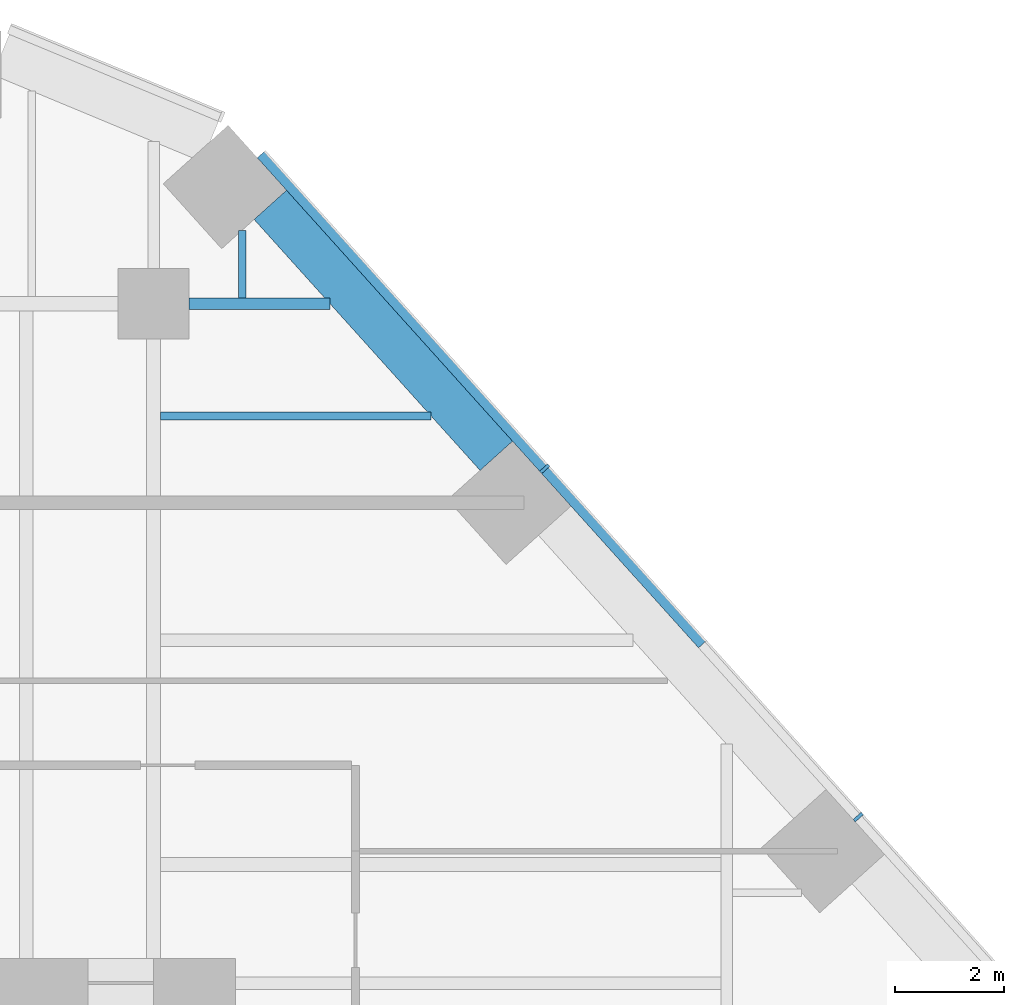
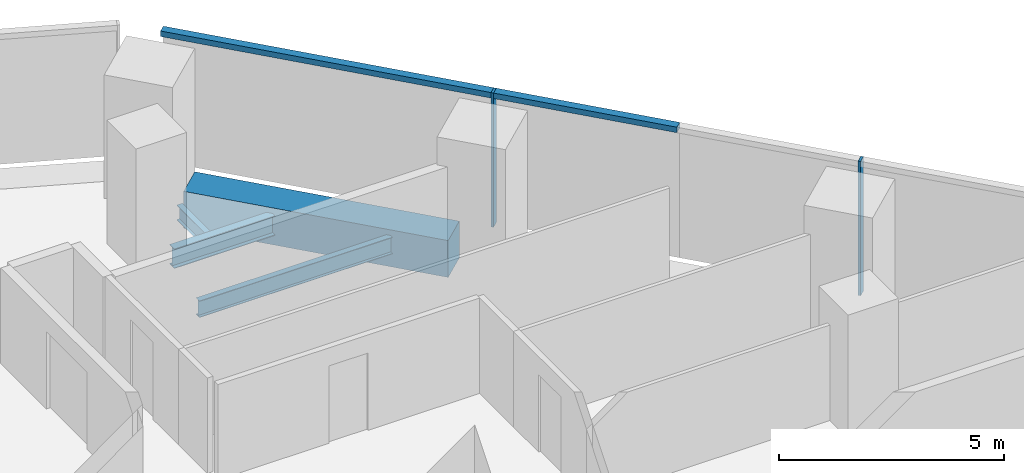
# One storey, part 13 of 31: 4 beams, 4 members, 1 element without a shape of its own.
"""IFC4 building model written with IfcOpenShell, lengths in metres."""

from ifc_helpers import new_model, si_unit, direction, frame, origin, origin_2d, place, context, subcontext, project, spatial, rectangle, i_section, extrude, material, layer, layer_set, material_profile, profile_set, type_object, element, aggregate, save


model = new_model("IFC4")

# Units and contexts
model_context = context("Model", 3, precision=1e-05, world=origin(), true_north=direction((0.0, 1.0)))
body_context = subcontext(model_context, "Body", "Model", "MODEL_VIEW")
ifc_project = project(units=[si_unit("LENGTHUNIT", "METRE"), si_unit("AREAUNIT", "SQUARE_METRE"), si_unit("VOLUMEUNIT", "CUBIC_METRE"), si_unit("PLANEANGLEUNIT", "RADIAN"), si_unit("MASSUNIT", "GRAM", prefix="KILO")], contexts=[model_context])

# Site, building, storey
site_placement = place(None, origin())
site = spatial("IfcSite", under=ifc_project, at=site_placement, CompositionType="ELEMENT")
building_placement = place(site_placement, origin())
building = spatial("IfcBuilding", under=site, at=building_placement, Name="Isthmus Gate Tower", CompositionType="ELEMENT")
storey_placement = place(building_placement, frame((0.0, 0.0, 113.5)))
storey = spatial("IfcBuildingStorey", under=building, at=storey_placement, Name="L27", CompositionType="ELEMENT", Elevation=113.5)

# Curtain wall, members
ifc_material_1 = material(Name="Aluminium, pale champagne anodised", Category="aluminium")
ifc_layer = layer(ifc_material_1, 0.199951171875)
ifc_layer_set = layer_set([ifc_layer], Name="CW-1 UNITISED CURTAIN WALL 200 DEEP")
curtain_wall_type = type_object("IfcCurtainWallType", Name="CW-1 UNITISED CURTAIN WALL 200 DEEP", PredefinedType="NOTDEFINED", material=ifc_layer_set)
curtain_wall_placement = place(storey_placement, origin())
curtain_wall = element("IfcCurtainWall", 1, at=curtain_wall_placement, inside=storey, type_object=curtain_wall_type, Name="CW-1 NE L27", PredefinedType="NOTDEFINED")
ifc_material_2 = material(Name="Aluminium, pale champagne anodised", Category="aluminium")
ifc_material_profile_1 = material_profile(ifc_material_2, rectangle(XDim=0.06005859375, YDim=0.199951171875, at=origin_2d()), Name="60x200")
ifc_profile_set_1 = profile_set([ifc_material_profile_1], Name="Aluminium, pale champagne anodised")
member_type_1 = type_object("IfcMemberType", Name="CW-1 MULLION 60 X 200", PredefinedType="MULLION", material=ifc_profile_set_1)
member_1_placement = place(storey_placement, frame((26.4140625, 17.591796875, 0.0), z_axis=(0.0, 0.0, 1.0), x_axis=(-0.669130606359, 0.743144825477, 0.0)))
member_1 = element("IfcMember", 2, at=member_1_placement, type_object=member_type_1, Name="CW-1 mullion", PredefinedType="MULLION", context=body_context, shape_type="SweptSolid", body=[
    extrude(rectangle(XDim=0.06005859375, YDim=0.199951171875, at=origin_2d()), origin(), (0.0, 0.0, 1.0), 3.64990234375),
])
member_2_placement = place(storey_placement, frame((20.666748046875, 23.974853515625, 0.0), z_axis=(0.0, 0.0, 1.0), x_axis=(-0.669130606359, 0.743144825477, 0.0)))
member_2 = element("IfcMember", 3, at=member_2_placement, type_object=member_type_1, Name="CW-1 mullion", PredefinedType="MULLION", context=body_context, shape_type="SweptSolid", body=[
    extrude(rectangle(XDim=0.06005859375, YDim=0.199951171875, at=origin_2d()), origin(), (0.0, 0.0, 1.0), 3.64990234375),
])
ifc_material_3 = material(Name="Aluminium, pale champagne anodised", Category="aluminium")
ifc_material_profile_2 = material_profile(ifc_material_3, rectangle(XDim=0.199951171875, YDim=0.14990234375, at=origin_2d()), Name="200x150")
ifc_profile_set_2 = profile_set([ifc_material_profile_2], Name="Aluminium, pale champagne anodised")
member_type_2 = type_object("IfcMemberType", Name="CW-1 TRANSOM 200 X 150", PredefinedType="USERDEFINED", material=ifc_profile_set_2)
member_3_placement = place(storey_placement, frame((23.560546875, 20.760986328125, 3.574951171875), z_axis=(-0.669131169216, 0.743144318678, 0.0), x_axis=(-0.743144318678, -0.669131169216, 0.0)))
member_3 = element("IfcMember", 4, at=member_3_placement, type_object=member_type_2, Name="CW-1 transom", ObjectType="TRANSOM", PredefinedType="USERDEFINED", context=body_context, shape_type="SweptSolid", body=[
    extrude(rectangle(XDim=0.199951171875, YDim=0.14990234375, at=origin_2d()), origin(), (0.0, 0.0, 1.0), 4.294677734375),
])
member_4_placement = place(storey_placement, frame((20.646728515625, 23.997314453125, 3.574951171875), z_axis=(-0.669151434947, 0.743126070804, 0.0), x_axis=(-0.743126070804, -0.669151434947, 0.0)))
member_4 = element("IfcMember", 5, at=member_4_placement, type_object=member_type_2, Name="CW-1 transom", ObjectType="TRANSOM", PredefinedType="USERDEFINED", context=body_context, shape_type="SweptSolid", body=[
    extrude(rectangle(XDim=0.199951171875, YDim=0.14990234375, at=origin_2d()), origin(), (0.0, 0.0, 1.0), 7.7294921875),
])
aggregate(curtain_wall, [member_1, member_3, member_2, member_4])

# Beams
ifc_material_4 = material(Name="Concrete f'c 70 MPa", Category="concrete")
ifc_material_profile_3 = material_profile(ifc_material_4, rectangle(XDim=0.800048828125, YDim=1.0, at=origin_2d()), Name="RC 800X1000")
ifc_profile_set_3 = profile_set([ifc_material_profile_3], Name="Concrete f'c 70 MPa")
beam_type_1 = type_object("IfcBeamType", Name="RC SPANDREL 800 X 1000", PredefinedType="SPANDREL", material=ifc_profile_set_3)
beam_1_placement = place(storey_placement, frame((15.638427734375, 28.812255859375, -0.5), z_axis=(0.669139054219, -0.743137218903, 0.0), x_axis=(0.743137218903, 0.669139054219, 0.0)))
element("IfcBeam", 6, at=beam_1_placement, inside=storey, type_object=beam_type_1, Name="str-spandrel-L27-01", PredefinedType="SPANDREL", context=body_context, shape_type="SweptSolid", body=[
    extrude(rectangle(XDim=0.800048828125, YDim=1.0, at=origin_2d()), origin(), (0.0, 0.0, 1.0), 6.189453125),
])
ifc_material_5 = material(Name="Structural steel ASTM A992 Gr 50", Category="steel")
ifc_material_profile_4 = material_profile(ifc_material_5, i_section(OverallWidth=0.1396484375, OverallDepth=0.4033203125, WebThickness=0.00634765625, FlangeThickness=0.010986328125, at=origin_2d()), Name="W16X31")
ifc_profile_set_4 = profile_set([ifc_material_profile_4], Name="Structural steel ASTM A992 Gr 50")
beam_type_2 = type_object("IfcBeamType", Name="STEEL FLOOR BEAM W16X31", PredefinedType="JOIST", material=ifc_profile_set_4)
beam_2_placement = place(storey_placement, frame((15.12109375, 27.104736328125, -0.3515625), z_axis=(0.0, 1.0, 0.0), x_axis=(-1.0, 0.0, 0.0)))
element("IfcBeam", 7, at=beam_2_placement, inside=storey, type_object=beam_type_2, Name="str-beam-L27-29-00", PredefinedType="JOIST", context=body_context, shape_type="SweptSolid", body=[
    extrude(i_section(OverallWidth=0.1396484375, OverallDepth=0.4033203125, WebThickness=0.00634765625, FlangeThickness=0.010986328125, at=origin_2d()), origin(), (0.0, 0.0, 1.0), 1.24169921875),
])
ifc_material_6 = material(Name="Structural steel ASTM A992 Gr 50", Category="steel")
ifc_material_profile_5 = material_profile(ifc_material_6, i_section(OverallWidth=0.15234375, OverallDepth=0.45068359375, WebThickness=0.0078125, FlangeThickness=0.010986328125, at=origin_2d()), Name="W18X35")
ifc_profile_set_5 = profile_set([ifc_material_profile_5], Name="Structural steel ASTM A992 Gr 50")
beam_type_3 = type_object("IfcBeamType", Name="STEEL FLOOR BEAM W18X35", PredefinedType="JOIST", material=ifc_profile_set_5)
beam_3_placement = place(storey_placement, frame((13.626953125, 24.944091796875, -0.37548828125), z_axis=(1.0, 0.0, 0.0), x_axis=(0.0, 1.0, 0.0)))
element("IfcBeam", 8, at=beam_3_placement, inside=storey, type_object=beam_type_3, Name="str-beam-L27-30-02", PredefinedType="JOIST", context=body_context, shape_type="SweptSolid", body=[
    extrude(i_section(OverallWidth=0.15234375, OverallDepth=0.45068359375, WebThickness=0.0078125, FlangeThickness=0.010986328125, at=origin_2d()), origin(), (0.0, 0.0, 1.0), 4.9560546875),
])
ifc_material_7 = material(Name="Structural steel ASTM A992 Gr 50", Category="steel")
ifc_material_profile_6 = material_profile(ifc_material_7, i_section(OverallWidth=0.20947265625, OverallDepth=0.533447265625, WebThickness=0.009521484375, FlangeThickness=0.015869140625, at=origin_2d()), Name="W21X62")
ifc_profile_set_6 = profile_set([ifc_material_profile_6], Name="Structural steel ASTM A992 Gr 50")
beam_type_4 = type_object("IfcBeamType", Name="STEEL GIRDER W21X62", PredefinedType="BEAM", material=ifc_profile_set_6)
beam_4_placement = place(storey_placement, frame((14.14990234375, 27.0, -0.416748046875), z_axis=(1.0, 0.0, 0.0), x_axis=(0.0, 1.0, 0.0)))
element("IfcBeam", 9, at=beam_4_placement, inside=storey, type_object=beam_type_4, Name="str-girder-L27-20", PredefinedType="BEAM", context=body_context, shape_type="SweptSolid", body=[
    extrude(i_section(OverallWidth=0.20947265625, OverallDepth=0.533447265625, WebThickness=0.009521484375, FlangeThickness=0.015869140625, at=origin_2d()), origin(), (0.0, 0.0, 1.0), 2.58203125),
])

save(model, "model.ifc")
